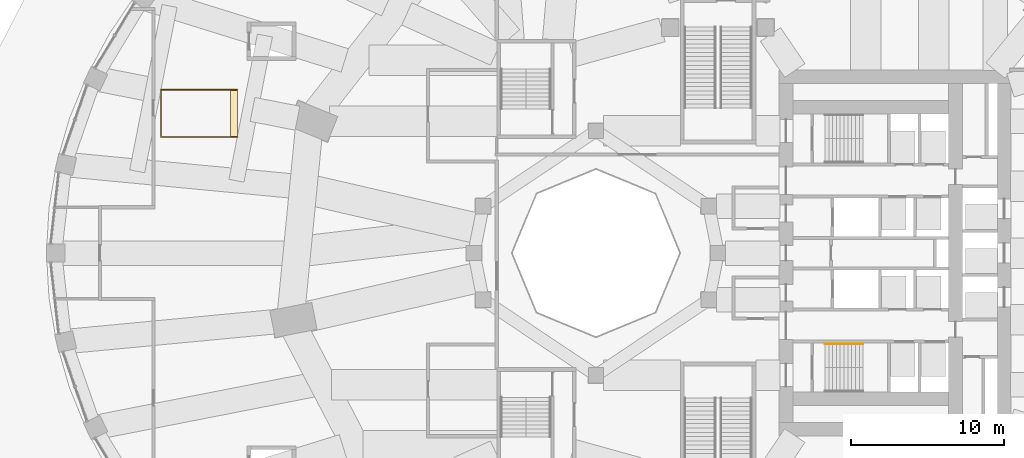
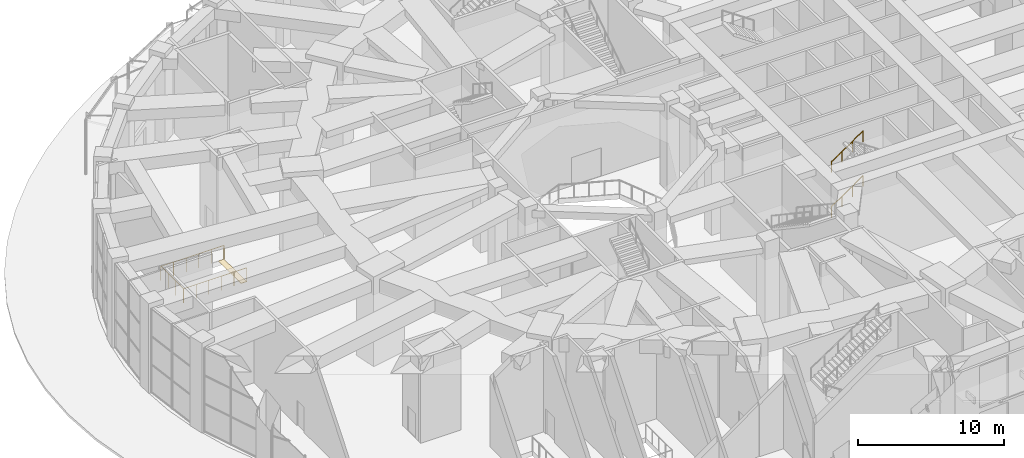
# One storey, part 54 of 60: 3 railings, 1 covering.
"""IFC4 building model written with IfcOpenShell, lengths in metres."""

from ifc_helpers import new_model, si_unit, direction, frame, origin, origin_2d, place, context, subcontext, project, spatial, polyline, circle, outline, extrude, material, layer, layer_set, type_object, element, save


model = new_model("IFC4")

# Units and contexts
model_context = context("Model", 3, precision=1e-05, world=origin(), true_north=direction((0.0, 1.0)))
body_context = subcontext(model_context, "Body", "Model", "MODEL_VIEW")
ifc_project = project(units=[si_unit("LENGTHUNIT", "METRE"), si_unit("AREAUNIT", "SQUARE_METRE"), si_unit("VOLUMEUNIT", "CUBIC_METRE"), si_unit("PLANEANGLEUNIT", "RADIAN"), si_unit("MASSUNIT", "GRAM", prefix="KILO")], contexts=[model_context])

# Site, building, storey
site_placement = place(None, origin())
site = spatial("IfcSite", under=ifc_project, at=site_placement, CompositionType="ELEMENT")
building_placement = place(site_placement, origin())
building = spatial("IfcBuilding", under=site, at=building_placement, Name="Taillehof Tower", CompositionType="ELEMENT")
storey_placement = place(building_placement, origin())
storey = spatial("IfcBuildingStorey", under=building, at=storey_placement, Name="L00", CompositionType="ELEMENT", Elevation=0.0)

# Covering
ifc_material_1 = material(Name="Terrazzo floor finish")
ifc_layer = layer(ifc_material_1, 0.030029296875)
ifc_layer_set = layer_set([ifc_layer], Name="Floor finish 30 mm")
covering_type = type_object("IfcCoveringType", Name="Floor finish 30 mm", PredefinedType="FLOORING", material=ifc_layer_set)
covering_placement = place(storey_placement, origin())
element("IfcCovering", 1, at=covering_placement, inside=storey, type_object=covering_type, Name="Escalator landing plate EC", PredefinedType="FLOORING", context=body_context, shape_type="SweptSolid", body=[
    extrude(outline(polyline([(-31.949951171875, 7.60009765625), (-31.5, 7.60009765625), (-31.5, 10.699951171875), (-31.949951171875, 10.699951171875), (-31.949951171875, 7.60009765625)])), origin(), (0.0, 0.0, 1.0), 0.030029296875),
])

# Railings
ifc_material_2 = material(Name="Stainless steel and laminated glass", Category="steel")
railing_type_1 = type_object("IfcRailingType", Name="Guard 1200 mm", PredefinedType="GUARDRAIL", material=ifc_material_2)
railing_placement = place(storey_placement, frame((-31.5, 7.60009765625, 0.0)))
element("IfcRailing", 2, at=railing_placement, inside=storey, type_object=railing_type_1, Name="Guard EC", PredefinedType="GUARDRAIL", context=body_context, shape_type="SweptSolid", body=[
    extrude(circle(Radius=0.02392578125, at=origin_2d()), frame((0.0, 0.0, 1.17578125), z_axis=(-1.0, 0.0, 0.0), x_axis=(0.0, -1.0, 0.0)), (0.0, 0.0, 1.0), 5.0),
    extrude(circle(Radius=0.02392578125, at=origin_2d()), frame((-5.0, 0.0, 1.17578125), z_axis=(0.0, 1.0, 0.0), x_axis=(-1.0, 0.0, 0.0)), (0.0, 0.0, 1.0), 3.099853515625),
    extrude(circle(Radius=0.02392578125, at=origin_2d()), frame((-5.0, 3.099853515625, 1.17578125), z_axis=(1.0, 0.0, 0.0), x_axis=(0.0, 1.0, 0.0)), (0.0, 0.0, 1.0), 5.0),
    extrude(circle(Radius=0.02099609375, at=origin_2d()), origin(), (0.0, 0.0, 1.0), 1.15185546875),
    extrude(circle(Radius=0.02099609375, at=origin_2d()), frame((-1.0, 0.0, 0.0)), (0.0, 0.0, 1.0), 1.15185546875),
    extrude(circle(Radius=0.02099609375, at=origin_2d()), frame((-2.0, 0.0, 0.0)), (0.0, 0.0, 1.0), 1.15185546875),
    extrude(circle(Radius=0.02099609375, at=origin_2d()), frame((-3.0, 0.0, 0.0)), (0.0, 0.0, 1.0), 1.15185546875),
    extrude(circle(Radius=0.02099609375, at=origin_2d()), frame((-4.0, 0.0, 0.0)), (0.0, 0.0, 1.0), 1.15185546875),
    extrude(circle(Radius=0.02099609375, at=origin_2d()), frame((-5.0, 0.0, 0.0)), (0.0, 0.0, 1.0), 1.15185546875),
    extrude(circle(Radius=0.02099609375, at=origin_2d()), frame((-5.0, 1.033203125, 0.0)), (0.0, 0.0, 1.0), 1.15185546875),
    extrude(circle(Radius=0.02099609375, at=origin_2d()), frame((-5.0, 2.066650390625, 0.0)), (0.0, 0.0, 1.0), 1.15185546875),
    extrude(circle(Radius=0.02099609375, at=origin_2d()), frame((-5.0, 3.099853515625, 0.0)), (0.0, 0.0, 1.0), 1.15185546875),
    extrude(circle(Radius=0.02099609375, at=origin_2d()), frame((-4.0, 3.099853515625, 0.0)), (0.0, 0.0, 1.0), 1.15185546875),
    extrude(circle(Radius=0.02099609375, at=origin_2d()), frame((-3.0, 3.099853515625, 0.0)), (0.0, 0.0, 1.0), 1.15185546875),
    extrude(circle(Radius=0.02099609375, at=origin_2d()), frame((-2.0, 3.099853515625, 0.0)), (0.0, 0.0, 1.0), 1.15185546875),
    extrude(circle(Radius=0.02099609375, at=origin_2d()), frame((-1.0, 3.099853515625, 0.0)), (0.0, 0.0, 1.0), 1.15185546875),
    extrude(circle(Radius=0.02099609375, at=origin_2d()), frame((0.0, 3.099853515625, 0.0)), (0.0, 0.0, 1.0), 1.15185546875),
])
ifc_material_3 = material(Name="Stainless steel", Category="steel")
railing_type_2 = type_object("IfcRailingType", Name="Stair handrail 900", PredefinedType="HANDRAIL", material=ifc_material_3)
for number, where, name in (
    (3, (7.0, -5.949951171875, 0.17041015625), "Stair S2 handrail"),
    (4, (7.0, -5.949951171875, 3.92041015625), "Stair S2 handrail"),
):
    element("IfcRailing", number, at=place(storey_placement, frame(where)), inside=storey, type_object=railing_type_2, Name=name, PredefinedType="HANDRAIL", context=body_context, shape_type="SweptSolid", body=[
        extrude(circle(Radius=0.02392578125, at=origin_2d()), frame((0.0, 0.0, 0.8759765625), z_axis=(0.826220514629, 0.0, 0.563346839174), x_axis=(0.0, 1.0, 0.0)), (0.0, 0.0, 1.0), 3.02587890625),
        extrude(circle(Radius=0.02099609375, at=origin_2d()), origin(), (0.0, 0.0, 1.0), 0.851806640625),
        extrude(circle(Radius=0.02099609375, at=origin_2d()), frame((0.833251953125, 0.0, 0.568115234375)), (0.0, 0.0, 1.0), 0.851806640625),
        extrude(circle(Radius=0.02099609375, at=origin_2d()), frame((1.666748046875, 0.0, 1.136474609375)), (0.0, 0.0, 1.0), 0.851806640625),
        extrude(circle(Radius=0.02099609375, at=origin_2d()), frame((2.5, 0.0, 1.70458984375)), (0.0, 0.0, 1.0), 0.851806640625),
    ])

save(model, "model.ifc")
